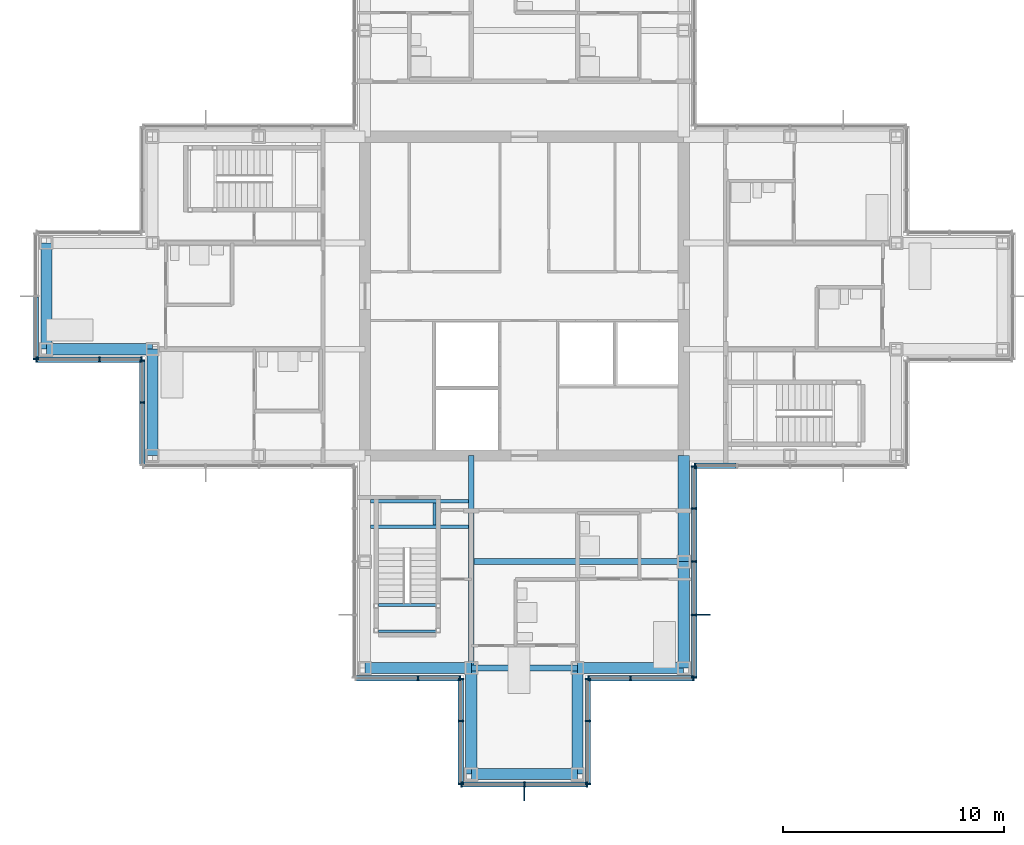
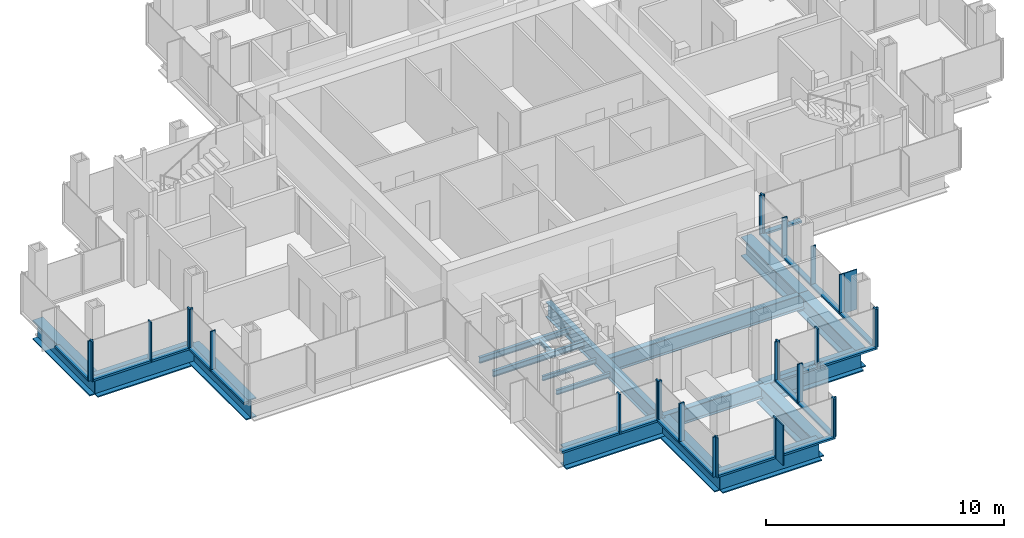
# One storey, part 6 of 17: 48 members, 18 beams, 10 elements without a shape of their own.
"""IFC4 building model written with IfcOpenShell, lengths in metres."""

from ifc_helpers import new_model, si_unit, direction, frame, origin, origin_2d, place, context, subcontext, project, spatial, rectangle, i_section, extrude, material, material_profile, profile_set, type_object, element, aggregate, save


model = new_model("IFC4")

# Units and contexts
model_context = context("Model", 3, precision=1e-05, world=origin(), true_north=direction((0.0, 1.0)))
body_context = subcontext(model_context, "Body", "Model", "MODEL_VIEW")
ifc_project = project(units=[si_unit("LENGTHUNIT", "METRE"), si_unit("AREAUNIT", "SQUARE_METRE"), si_unit("VOLUMEUNIT", "CUBIC_METRE"), si_unit("PLANEANGLEUNIT", "RADIAN"), si_unit("MASSUNIT", "GRAM", prefix="KILO")], contexts=[model_context])

# Site, building, storey
site_placement = place(None, origin())
site = spatial("IfcSite", under=ifc_project, at=site_placement, CompositionType="ELEMENT")
building_placement = place(site_placement, origin())
building = spatial("IfcBuilding", under=site, at=building_placement, Name="Kvirike Care Tower", CompositionType="ELEMENT")
storey_placement = place(building_placement, frame((0.0, 0.0, 186.5)))
storey = spatial("IfcBuildingStorey", under=building, at=storey_placement, Name="L51", CompositionType="ELEMENT", Elevation=186.5)

# Curtain wall, member
ifc_material_1 = material(Name="Anodised aluminium stick system", Category="aluminium")
curtain_wall_type = type_object("IfcCurtainWallType", Name="CW-C STICK CURTAIN WALL", PredefinedType="NOTDEFINED", material=ifc_material_1)
curtain_wall_1_placement = place(storey_placement, origin())
curtain_wall_1 = element("IfcCurtainWall", 1, at=curtain_wall_1_placement, inside=storey, type_object=curtain_wall_type, Name="Curtain wall L51 face 25", PredefinedType="NOTDEFINED")
ifc_material_2 = material(Name="Bronze anodised aluminium fin", Category="aluminium")
ifc_material_profile_1 = material_profile(ifc_material_2, rectangle(XDim=0.050048828125, YDim=0.60009765625, at=origin_2d()), Name="BRONZE FIN 600")
ifc_profile_set_1 = profile_set([ifc_material_profile_1], Name="Bronze anodised aluminium fin")
member_type_1 = type_object("IfcMemberType", Name="BRONZE FIN 600", PredefinedType="USERDEFINED", material=ifc_profile_set_1)
member_1_placement = place(storey_placement, frame((21.60009765625, 13.510009765625, 0.0), z_axis=(0.0, 0.0, 1.0), x_axis=(1.0, 0.0, 0.0)))
member_1 = element("IfcMember", 2, at=member_1_placement, type_object=member_type_1, Name="Bronze fin L51 face 25.2", ObjectType="FIN", PredefinedType="USERDEFINED", context=body_context, shape_type="SweptSolid", body=[
    extrude(rectangle(XDim=0.050048828125, YDim=0.60009765625, at=origin_2d()), origin(), (0.0, 0.0, 1.0), 2.050048828125),
])

curtain_wall_2_placement = place(storey_placement, origin())
curtain_wall_2 = element("IfcCurtainWall", 3, at=curtain_wall_2_placement, inside=storey, type_object=curtain_wall_type, Name="Curtain wall L51 face 28", PredefinedType="NOTDEFINED")
member_2_placement = place(storey_placement, frame((29.68994140625, 21.60009765625, 0.0), z_axis=(0.0, 0.0, 1.0), x_axis=(0.0, 1.0, 0.0)))
member_2 = element("IfcMember", 4, at=member_2_placement, type_object=member_type_1, Name="Bronze fin L51 face 28.2", ObjectType="FIN", PredefinedType="USERDEFINED", context=body_context, shape_type="SweptSolid", body=[
    extrude(rectangle(XDim=0.050048828125, YDim=0.60009765625, at=origin_2d()), origin(), (0.0, 0.0, 1.0), 2.050048828125),
])

curtain_wall_3_placement = place(storey_placement, origin())
curtain_wall_3 = element("IfcCurtainWall", 5, at=curtain_wall_3_placement, inside=storey, type_object=curtain_wall_type, Name="Curtain wall L51 face 1", PredefinedType="NOTDEFINED")
ifc_material_3 = material(Name="Bronze anodised aluminium mullion", Category="aluminium")
ifc_material_profile_2 = material_profile(ifc_material_3, rectangle(XDim=0.06494140625, YDim=0.239990234375, at=origin_2d()), Name="CW-C MULLION 65x240")
ifc_profile_set_2 = profile_set([ifc_material_profile_2], Name="Bronze anodised aluminium mullion")
member_type_2 = type_object("IfcMemberType", Name="CW-C MULLION 65x240", PredefinedType="MULLION", material=ifc_profile_set_2)
member_3_placement = place(storey_placement, frame((29.302490234375, 28.330078125, 0.0), z_axis=(0.0, 0.0, 1.0), x_axis=(1.0, 0.0, 0.0)))
member_3 = element("IfcMember", 6, at=member_3_placement, type_object=member_type_2, Name="CW-C mullion L51 face 1.1", PredefinedType="MULLION", context=body_context, shape_type="SweptSolid", body=[
    extrude(rectangle(XDim=0.06494140625, YDim=0.239990234375, at=origin_2d()), origin(), (0.0, 0.0, 1.0), 2.050048828125),
])

curtain_wall_4_placement = place(storey_placement, origin())
curtain_wall_4 = element("IfcCurtainWall", 7, at=curtain_wall_4_placement, inside=storey, type_object=curtain_wall_type, Name="Curtain wall L51 face 18", PredefinedType="NOTDEFINED")
member_4_placement = place(storey_placement, frame((-0.469970703125, 33.16259765625, 0.0), z_axis=(0.0, 0.0, 1.0), x_axis=(0.0, -1.0, 0.0)))
member_4 = element("IfcMember", 8, at=member_4_placement, type_object=member_type_2, Name="CW-C mullion L51 face 18.3", PredefinedType="MULLION", context=body_context, shape_type="SweptSolid", body=[
    extrude(rectangle(XDim=0.06494140625, YDim=0.239990234375, at=origin_2d()), origin(), (0.0, 0.0, 1.0), 2.050048828125),
])

# Curtain wall, members
curtain_wall_5_placement = place(storey_placement, origin())
curtain_wall_5 = element("IfcCurtainWall", 9, at=curtain_wall_5_placement, inside=storey, type_object=curtain_wall_type, Name="Curtain wall L51 face 19", PredefinedType="NOTDEFINED")
member_5_placement = place(storey_placement, frame((-0.4375, 33.1298828125, 0.0), z_axis=(0.0, 0.0, 1.0), x_axis=(1.0, 0.0, 0.0)))
member_5 = element("IfcMember", 10, at=member_5_placement, type_object=member_type_2, Name="CW-C mullion L51 face 19.1", PredefinedType="MULLION", context=body_context, shape_type="SweptSolid", body=[
    extrude(rectangle(XDim=0.06494140625, YDim=0.239990234375, at=origin_2d()), origin(), (0.0, 0.0, 1.0), 2.050048828125),
])
member_6_placement = place(storey_placement, frame((2.39990234375, 33.1298828125, 0.0), z_axis=(0.0, 0.0, 1.0), x_axis=(1.0, 0.0, 0.0)))
member_6 = element("IfcMember", 11, at=member_6_placement, type_object=member_type_2, Name="CW-C mullion L51 face 19.2", PredefinedType="MULLION", context=body_context, shape_type="SweptSolid", body=[
    extrude(rectangle(XDim=0.06494140625, YDim=0.239990234375, at=origin_2d()), origin(), (0.0, 0.0, 1.0), 2.050048828125),
])
member_7_placement = place(storey_placement, frame((4.297607421875, 33.1298828125, 0.0), z_axis=(0.0, 0.0, 1.0), x_axis=(1.0, 0.0, 0.0)))
member_7 = element("IfcMember", 12, at=member_7_placement, type_object=member_type_2, Name="CW-C mullion L51 face 19.3", PredefinedType="MULLION", context=body_context, shape_type="SweptSolid", body=[
    extrude(rectangle(XDim=0.06494140625, YDim=0.239990234375, at=origin_2d()), origin(), (0.0, 0.0, 1.0), 2.050048828125),
])

curtain_wall_6_placement = place(storey_placement, origin())
curtain_wall_6 = element("IfcCurtainWall", 13, at=curtain_wall_6_placement, inside=storey, type_object=curtain_wall_type, Name="Curtain wall L51 face 20", PredefinedType="NOTDEFINED")
member_8_placement = place(storey_placement, frame((4.330078125, 33.097412109375, 0.0), z_axis=(0.0, 0.0, 1.0), x_axis=(0.0, -1.0, 0.0)))
member_8 = element("IfcMember", 14, at=member_8_placement, type_object=member_type_2, Name="CW-C mullion L51 face 20.1", PredefinedType="MULLION", context=body_context, shape_type="SweptSolid", body=[
    extrude(rectangle(XDim=0.06494140625, YDim=0.239990234375, at=origin_2d()), origin(), (0.0, 0.0, 1.0), 2.050048828125),
])
member_9_placement = place(storey_placement, frame((4.330078125, 31.199951171875, 0.0), z_axis=(0.0, 0.0, 1.0), x_axis=(0.0, -1.0, 0.0)))
member_9 = element("IfcMember", 15, at=member_9_placement, type_object=member_type_2, Name="CW-C mullion L51 face 20.2", PredefinedType="MULLION", context=body_context, shape_type="SweptSolid", body=[
    extrude(rectangle(XDim=0.06494140625, YDim=0.239990234375, at=origin_2d()), origin(), (0.0, 0.0, 1.0), 2.050048828125),
])

curtain_wall_7_placement = place(storey_placement, origin())
curtain_wall_7 = element("IfcCurtainWall", 16, at=curtain_wall_7_placement, inside=storey, type_object=curtain_wall_type, Name="Curtain wall L51 face 23", PredefinedType="NOTDEFINED")
member_10_placement = place(storey_placement, frame((16.800048828125, 18.72998046875, 0.0), z_axis=(0.0, 0.0, 1.0), x_axis=(1.0, 0.0, 0.0)))
member_10 = element("IfcMember", 17, at=member_10_placement, type_object=member_type_2, Name="CW-C mullion L51 face 23.2", PredefinedType="MULLION", context=body_context, shape_type="SweptSolid", body=[
    extrude(rectangle(XDim=0.06494140625, YDim=0.239990234375, at=origin_2d()), origin(), (0.0, 0.0, 1.0), 2.050048828125),
])
member_11_placement = place(storey_placement, frame((18.697509765625, 18.72998046875, 0.0), z_axis=(0.0, 0.0, 1.0), x_axis=(1.0, 0.0, 0.0)))
member_11 = element("IfcMember", 18, at=member_11_placement, type_object=member_type_2, Name="CW-C mullion L51 face 23.3", PredefinedType="MULLION", context=body_context, shape_type="SweptSolid", body=[
    extrude(rectangle(XDim=0.06494140625, YDim=0.239990234375, at=origin_2d()), origin(), (0.0, 0.0, 1.0), 2.050048828125),
])

curtain_wall_8_placement = place(storey_placement, origin())
curtain_wall_8 = element("IfcCurtainWall", 19, at=curtain_wall_8_placement, inside=storey, type_object=curtain_wall_type, Name="Curtain wall L51 face 24", PredefinedType="NOTDEFINED")
member_12_placement = place(storey_placement, frame((18.72998046875, 18.697509765625, 0.0), z_axis=(0.0, 0.0, 1.0), x_axis=(0.0, -1.0, 0.0)))
member_12 = element("IfcMember", 20, at=member_12_placement, type_object=member_type_2, Name="CW-C mullion L51 face 24.1", PredefinedType="MULLION", context=body_context, shape_type="SweptSolid", body=[
    extrude(rectangle(XDim=0.06494140625, YDim=0.239990234375, at=origin_2d()), origin(), (0.0, 0.0, 1.0), 2.050048828125),
])
member_13_placement = place(storey_placement, frame((18.72998046875, 16.800048828125, 0.0), z_axis=(0.0, 0.0, 1.0), x_axis=(0.0, -1.0, 0.0)))
member_13 = element("IfcMember", 21, at=member_13_placement, type_object=member_type_2, Name="CW-C mullion L51 face 24.2", PredefinedType="MULLION", context=body_context, shape_type="SweptSolid", body=[
    extrude(rectangle(XDim=0.06494140625, YDim=0.239990234375, at=origin_2d()), origin(), (0.0, 0.0, 1.0), 2.050048828125),
])
member_14_placement = place(storey_placement, frame((18.72998046875, 13.96240234375, 0.0), z_axis=(0.0, 0.0, 1.0), x_axis=(0.0, -1.0, 0.0)))
member_14 = element("IfcMember", 22, at=member_14_placement, type_object=member_type_2, Name="CW-C mullion L51 face 24.3", PredefinedType="MULLION", context=body_context, shape_type="SweptSolid", body=[
    extrude(rectangle(XDim=0.06494140625, YDim=0.239990234375, at=origin_2d()), origin(), (0.0, 0.0, 1.0), 2.050048828125),
])

# Member
member_15_placement = place(storey_placement, frame((18.762451171875, 13.929931640625, 0.0), z_axis=(0.0, 0.0, 1.0), x_axis=(1.0, 0.0, 0.0)))
member_15 = element("IfcMember", 23, at=member_15_placement, type_object=member_type_2, Name="CW-C mullion L51 face 25.1", PredefinedType="MULLION", context=body_context, shape_type="SweptSolid", body=[
    extrude(rectangle(XDim=0.06494140625, YDim=0.239990234375, at=origin_2d()), origin(), (0.0, 0.0, 1.0), 2.050048828125),
])

member_16_placement = place(storey_placement, frame((21.60009765625, 13.929931640625, 0.0), z_axis=(0.0, 0.0, 1.0), x_axis=(1.0, 0.0, 0.0)))
member_16 = element("IfcMember", 24, at=member_16_placement, type_object=member_type_2, Name="CW-C mullion L51 face 25.2", PredefinedType="MULLION", context=body_context, shape_type="SweptSolid", body=[
    extrude(rectangle(XDim=0.06494140625, YDim=0.239990234375, at=origin_2d()), origin(), (0.0, 0.0, 1.0), 2.050048828125),
])

member_17_placement = place(storey_placement, frame((24.4375, 13.929931640625, 0.0), z_axis=(0.0, 0.0, 1.0), x_axis=(1.0, 0.0, 0.0)))
member_17 = element("IfcMember", 25, at=member_17_placement, type_object=member_type_2, Name="CW-C mullion L51 face 25.3", PredefinedType="MULLION", context=body_context, shape_type="SweptSolid", body=[
    extrude(rectangle(XDim=0.06494140625, YDim=0.239990234375, at=origin_2d()), origin(), (0.0, 0.0, 1.0), 2.050048828125),
])

# Curtain wall, members
curtain_wall_9_placement = place(storey_placement, origin())
curtain_wall_9 = element("IfcCurtainWall", 26, at=curtain_wall_9_placement, inside=storey, type_object=curtain_wall_type, Name="Curtain wall L51 face 26", PredefinedType="NOTDEFINED")
member_18_placement = place(storey_placement, frame((24.469970703125, 13.96240234375, 0.0), z_axis=(0.0, 0.0, 1.0), x_axis=(0.0, 1.0, 0.0)))
member_18 = element("IfcMember", 27, at=member_18_placement, type_object=member_type_2, Name="CW-C mullion L51 face 26.1", PredefinedType="MULLION", context=body_context, shape_type="SweptSolid", body=[
    extrude(rectangle(XDim=0.06494140625, YDim=0.239990234375, at=origin_2d()), origin(), (0.0, 0.0, 1.0), 2.050048828125),
])
member_19_placement = place(storey_placement, frame((24.469970703125, 16.800048828125, 0.0), z_axis=(0.0, 0.0, 1.0), x_axis=(0.0, 1.0, 0.0)))
member_19 = element("IfcMember", 28, at=member_19_placement, type_object=member_type_2, Name="CW-C mullion L51 face 26.2", PredefinedType="MULLION", context=body_context, shape_type="SweptSolid", body=[
    extrude(rectangle(XDim=0.06494140625, YDim=0.239990234375, at=origin_2d()), origin(), (0.0, 0.0, 1.0), 2.050048828125),
])
member_20_placement = place(storey_placement, frame((24.469970703125, 18.697509765625, 0.0), z_axis=(0.0, 0.0, 1.0), x_axis=(0.0, 1.0, 0.0)))
member_20 = element("IfcMember", 29, at=member_20_placement, type_object=member_type_2, Name="CW-C mullion L51 face 26.3", PredefinedType="MULLION", context=body_context, shape_type="SweptSolid", body=[
    extrude(rectangle(XDim=0.06494140625, YDim=0.239990234375, at=origin_2d()), origin(), (0.0, 0.0, 1.0), 2.050048828125),
])

curtain_wall_10_placement = place(storey_placement, origin())
curtain_wall_10 = element("IfcCurtainWall", 30, at=curtain_wall_10_placement, inside=storey, type_object=curtain_wall_type, Name="Curtain wall L51 face 27", PredefinedType="NOTDEFINED")
member_21_placement = place(storey_placement, frame((24.50244140625, 18.72998046875, 0.0), z_axis=(0.0, 0.0, 1.0), x_axis=(1.0, 0.0, 0.0)))
member_21 = element("IfcMember", 31, at=member_21_placement, type_object=member_type_2, Name="CW-C mullion L51 face 27.1", PredefinedType="MULLION", context=body_context, shape_type="SweptSolid", body=[
    extrude(rectangle(XDim=0.06494140625, YDim=0.239990234375, at=origin_2d()), origin(), (0.0, 0.0, 1.0), 2.050048828125),
])
member_22_placement = place(storey_placement, frame((26.39990234375, 18.72998046875, 0.0), z_axis=(0.0, 0.0, 1.0), x_axis=(1.0, 0.0, 0.0)))
member_22 = element("IfcMember", 32, at=member_22_placement, type_object=member_type_2, Name="CW-C mullion L51 face 27.2", PredefinedType="MULLION", context=body_context, shape_type="SweptSolid", body=[
    extrude(rectangle(XDim=0.06494140625, YDim=0.239990234375, at=origin_2d()), origin(), (0.0, 0.0, 1.0), 2.050048828125),
])
member_23_placement = place(storey_placement, frame((29.237548828125, 18.72998046875, 0.0), z_axis=(0.0, 0.0, 1.0), x_axis=(1.0, 0.0, 0.0)))
member_23 = element("IfcMember", 33, at=member_23_placement, type_object=member_type_2, Name="CW-C mullion L51 face 27.3", PredefinedType="MULLION", context=body_context, shape_type="SweptSolid", body=[
    extrude(rectangle(XDim=0.06494140625, YDim=0.239990234375, at=origin_2d()), origin(), (0.0, 0.0, 1.0), 2.050048828125),
])

# Member
member_24_placement = place(storey_placement, frame((29.27001953125, 18.762451171875, 0.0), z_axis=(0.0, 0.0, 1.0), x_axis=(0.0, 1.0, 0.0)))
member_24 = element("IfcMember", 34, at=member_24_placement, type_object=member_type_2, Name="CW-C mullion L51 face 28.1", PredefinedType="MULLION", context=body_context, shape_type="SweptSolid", body=[
    extrude(rectangle(XDim=0.06494140625, YDim=0.239990234375, at=origin_2d()), origin(), (0.0, 0.0, 1.0), 2.050048828125),
])

member_25_placement = place(storey_placement, frame((29.27001953125, 21.60009765625, 0.0), z_axis=(0.0, 0.0, 1.0), x_axis=(0.0, 1.0, 0.0)))
member_25 = element("IfcMember", 35, at=member_25_placement, type_object=member_type_2, Name="CW-C mullion L51 face 28.2", PredefinedType="MULLION", context=body_context, shape_type="SweptSolid", body=[
    extrude(rectangle(XDim=0.06494140625, YDim=0.239990234375, at=origin_2d()), origin(), (0.0, 0.0, 1.0), 2.050048828125),
])

member_26_placement = place(storey_placement, frame((29.27001953125, 24.0, 0.0), z_axis=(0.0, 0.0, 1.0), x_axis=(0.0, 1.0, 0.0)))
member_26 = element("IfcMember", 36, at=member_26_placement, type_object=member_type_2, Name="CW-C mullion L51 face 28.3", PredefinedType="MULLION", context=body_context, shape_type="SweptSolid", body=[
    extrude(rectangle(XDim=0.06494140625, YDim=0.239990234375, at=origin_2d()), origin(), (0.0, 0.0, 1.0), 2.050048828125),
])

member_27_placement = place(storey_placement, frame((29.27001953125, 26.39990234375, 0.0), z_axis=(0.0, 0.0, 1.0), x_axis=(0.0, 1.0, 0.0)))
member_27 = element("IfcMember", 37, at=member_27_placement, type_object=member_type_2, Name="CW-C mullion L51 face 28.4", PredefinedType="MULLION", context=body_context, shape_type="SweptSolid", body=[
    extrude(rectangle(XDim=0.06494140625, YDim=0.239990234375, at=origin_2d()), origin(), (0.0, 0.0, 1.0), 2.050048828125),
])

member_28_placement = place(storey_placement, frame((29.27001953125, 28.297607421875, 0.0), z_axis=(0.0, 0.0, 1.0), x_axis=(0.0, 1.0, 0.0)))
member_28 = element("IfcMember", 38, at=member_28_placement, type_object=member_type_2, Name="CW-C mullion L51 face 28.5", PredefinedType="MULLION", context=body_context, shape_type="SweptSolid", body=[
    extrude(rectangle(XDim=0.06494140625, YDim=0.239990234375, at=origin_2d()), origin(), (0.0, 0.0, 1.0), 2.050048828125),
])

ifc_material_4 = material(Name="Bronze anodised aluminium transom", Category="aluminium")
ifc_material_profile_3 = material_profile(ifc_material_4, rectangle(XDim=0.239990234375, YDim=0.10009765625, at=origin_2d()), Name="CW-C TRANSOM 240x100")
ifc_profile_set_3 = profile_set([ifc_material_profile_3], Name="Bronze anodised aluminium transom")
member_type_3 = type_object("IfcMemberType", Name="CW-C TRANSOM 240x100", PredefinedType="USERDEFINED", material=ifc_profile_set_3)
member_29_placement = place(storey_placement, frame((29.3349609375, 28.330078125, 0.050048828125), z_axis=(1.0, 0.0, 0.0), x_axis=(0.0, 1.0, 0.0)))
member_29 = element("IfcMember", 39, at=member_29_placement, type_object=member_type_3, Name="CW-C sill transom L51 face 1.1", ObjectType="TRANSOM", PredefinedType="USERDEFINED", context=body_context, shape_type="SweptSolid", body=[
    extrude(rectangle(XDim=0.239990234375, YDim=0.10009765625, at=origin_2d()), origin(), (0.0, 0.0, 1.0), 1.83251953125),
])

aggregate(curtain_wall_3, [member_3, member_29])

member_30_placement = place(storey_placement, frame((-0.469970703125, 35.967529296875, 0.050048828125), z_axis=(0.0, -1.0, 0.0), x_axis=(1.0, 0.0, 0.0)))
member_30 = element("IfcMember", 40, at=member_30_placement, type_object=member_type_3, Name="CW-C sill transom L51 face 18.2", ObjectType="TRANSOM", PredefinedType="USERDEFINED", context=body_context, shape_type="SweptSolid", body=[
    extrude(rectangle(XDim=0.239990234375, YDim=0.10009765625, at=origin_2d()), origin(), (0.0, 0.0, 1.0), 2.7724609375),
])

aggregate(curtain_wall_4, [member_4, member_30])

member_31_placement = place(storey_placement, frame((-0.405029296875, 33.1298828125, 0.050048828125), z_axis=(1.0, 0.0, 0.0), x_axis=(0.0, 1.0, 0.0)))
member_31 = element("IfcMember", 41, at=member_31_placement, type_object=member_type_3, Name="CW-C sill transom L51 face 19.1", ObjectType="TRANSOM", PredefinedType="USERDEFINED", context=body_context, shape_type="SweptSolid", body=[
    extrude(rectangle(XDim=0.239990234375, YDim=0.10009765625, at=origin_2d()), origin(), (0.0, 0.0, 1.0), 2.7724609375),
])

member_32_placement = place(storey_placement, frame((2.4326171875, 33.1298828125, 0.050048828125), z_axis=(1.0, 0.0, 0.0), x_axis=(0.0, 1.0, 0.0)))
member_32 = element("IfcMember", 42, at=member_32_placement, type_object=member_type_3, Name="CW-C sill transom L51 face 19.2", ObjectType="TRANSOM", PredefinedType="USERDEFINED", context=body_context, shape_type="SweptSolid", body=[
    extrude(rectangle(XDim=0.239990234375, YDim=0.10009765625, at=origin_2d()), origin(), (0.0, 0.0, 1.0), 1.832275390625),
])

aggregate(curtain_wall_5, [member_5, member_6, member_7, member_31, member_32])

member_33_placement = place(storey_placement, frame((4.330078125, 33.06494140625, 0.050048828125), z_axis=(0.0, -1.0, 0.0), x_axis=(1.0, 0.0, 0.0)))
member_33 = element("IfcMember", 43, at=member_33_placement, type_object=member_type_3, Name="CW-C sill transom L51 face 20.1", ObjectType="TRANSOM", PredefinedType="USERDEFINED", context=body_context, shape_type="SweptSolid", body=[
    extrude(rectangle(XDim=0.239990234375, YDim=0.10009765625, at=origin_2d()), origin(), (0.0, 0.0, 1.0), 1.83251953125),
])

member_34_placement = place(storey_placement, frame((4.330078125, 31.16748046875, 0.050048828125), z_axis=(0.0, -1.0, 0.0), x_axis=(1.0, 0.0, 0.0)))
member_34 = element("IfcMember", 44, at=member_34_placement, type_object=member_type_3, Name="CW-C sill transom L51 face 20.2", ObjectType="TRANSOM", PredefinedType="USERDEFINED", context=body_context, shape_type="SweptSolid", body=[
    extrude(rectangle(XDim=0.239990234375, YDim=0.10009765625, at=origin_2d()), origin(), (0.0, 0.0, 1.0), 2.7724609375),
])

aggregate(curtain_wall_6, [member_8, member_9, member_33, member_34])

member_35_placement = place(storey_placement, frame((13.9951171875, 18.72998046875, 0.050048828125), z_axis=(1.0, 0.0, 0.0), x_axis=(0.0, 1.0, 0.0)))
member_35 = element("IfcMember", 45, at=member_35_placement, type_object=member_type_3, Name="CW-C sill transom L51 face 23.1", ObjectType="TRANSOM", PredefinedType="USERDEFINED", context=body_context, shape_type="SweptSolid", body=[
    extrude(rectangle(XDim=0.239990234375, YDim=0.10009765625, at=origin_2d()), origin(), (0.0, 0.0, 1.0), 2.7724609375),
])

member_36_placement = place(storey_placement, frame((16.83251953125, 18.72998046875, 0.050048828125), z_axis=(1.0, 0.0, 0.0), x_axis=(0.0, 1.0, 0.0)))
member_36 = element("IfcMember", 46, at=member_36_placement, type_object=member_type_3, Name="CW-C sill transom L51 face 23.2", ObjectType="TRANSOM", PredefinedType="USERDEFINED", context=body_context, shape_type="SweptSolid", body=[
    extrude(rectangle(XDim=0.239990234375, YDim=0.10009765625, at=origin_2d()), origin(), (0.0, 0.0, 1.0), 1.83251953125),
])

aggregate(curtain_wall_7, [member_10, member_11, member_35, member_36])

member_37_placement = place(storey_placement, frame((18.72998046875, 18.6650390625, 0.050048828125), z_axis=(0.0, -1.0, 0.0), x_axis=(1.0, 0.0, 0.0)))
member_37 = element("IfcMember", 47, at=member_37_placement, type_object=member_type_3, Name="CW-C sill transom L51 face 24.1", ObjectType="TRANSOM", PredefinedType="USERDEFINED", context=body_context, shape_type="SweptSolid", body=[
    extrude(rectangle(XDim=0.239990234375, YDim=0.10009765625, at=origin_2d()), origin(), (0.0, 0.0, 1.0), 1.83251953125),
])

member_38_placement = place(storey_placement, frame((18.72998046875, 16.767578125, 0.050048828125), z_axis=(0.0, -1.0, 0.0), x_axis=(1.0, 0.0, 0.0)))
member_38 = element("IfcMember", 48, at=member_38_placement, type_object=member_type_3, Name="CW-C sill transom L51 face 24.2", ObjectType="TRANSOM", PredefinedType="USERDEFINED", context=body_context, shape_type="SweptSolid", body=[
    extrude(rectangle(XDim=0.239990234375, YDim=0.10009765625, at=origin_2d()), origin(), (0.0, 0.0, 1.0), 2.7724609375),
])

aggregate(curtain_wall_8, [member_12, member_13, member_14, member_37, member_38])

member_39_placement = place(storey_placement, frame((18.794921875, 13.929931640625, 0.050048828125), z_axis=(1.0, 0.0, 0.0), x_axis=(0.0, 1.0, 0.0)))
member_39 = element("IfcMember", 49, at=member_39_placement, type_object=member_type_3, Name="CW-C sill transom L51 face 25.1", ObjectType="TRANSOM", PredefinedType="USERDEFINED", context=body_context, shape_type="SweptSolid", body=[
    extrude(rectangle(XDim=0.239990234375, YDim=0.10009765625, at=origin_2d()), origin(), (0.0, 0.0, 1.0), 2.7724609375),
])

member_40_placement = place(storey_placement, frame((21.632568359375, 13.929931640625, 0.050048828125), z_axis=(1.0, 0.0, 0.0), x_axis=(0.0, 1.0, 0.0)))
member_40 = element("IfcMember", 50, at=member_40_placement, type_object=member_type_3, Name="CW-C sill transom L51 face 25.2", ObjectType="TRANSOM", PredefinedType="USERDEFINED", context=body_context, shape_type="SweptSolid", body=[
    extrude(rectangle(XDim=0.239990234375, YDim=0.10009765625, at=origin_2d()), origin(), (0.0, 0.0, 1.0), 2.7724609375),
])

aggregate(curtain_wall_1, [member_15, member_16, member_1, member_17, member_39, member_40])

member_41_placement = place(storey_placement, frame((24.469970703125, 13.9951171875, 0.050048828125), z_axis=(0.0, 1.0, 0.0), x_axis=(-1.0, 0.0, 0.0)))
member_41 = element("IfcMember", 51, at=member_41_placement, type_object=member_type_3, Name="CW-C sill transom L51 face 26.1", ObjectType="TRANSOM", PredefinedType="USERDEFINED", context=body_context, shape_type="SweptSolid", body=[
    extrude(rectangle(XDim=0.239990234375, YDim=0.10009765625, at=origin_2d()), origin(), (0.0, 0.0, 1.0), 2.7724609375),
])

member_42_placement = place(storey_placement, frame((24.469970703125, 16.83251953125, 0.050048828125), z_axis=(0.0, 1.0, 0.0), x_axis=(-1.0, 0.0, 0.0)))
member_42 = element("IfcMember", 52, at=member_42_placement, type_object=member_type_3, Name="CW-C sill transom L51 face 26.2", ObjectType="TRANSOM", PredefinedType="USERDEFINED", context=body_context, shape_type="SweptSolid", body=[
    extrude(rectangle(XDim=0.239990234375, YDim=0.10009765625, at=origin_2d()), origin(), (0.0, 0.0, 1.0), 1.83251953125),
])

aggregate(curtain_wall_9, [member_18, member_19, member_20, member_41, member_42])

member_43_placement = place(storey_placement, frame((24.534912109375, 18.72998046875, 0.050048828125), z_axis=(1.0, 0.0, 0.0), x_axis=(0.0, 1.0, 0.0)))
member_43 = element("IfcMember", 53, at=member_43_placement, type_object=member_type_3, Name="CW-C sill transom L51 face 27.1", ObjectType="TRANSOM", PredefinedType="USERDEFINED", context=body_context, shape_type="SweptSolid", body=[
    extrude(rectangle(XDim=0.239990234375, YDim=0.10009765625, at=origin_2d()), origin(), (0.0, 0.0, 1.0), 1.83251953125),
])

member_44_placement = place(storey_placement, frame((26.4326171875, 18.72998046875, 0.050048828125), z_axis=(1.0, 0.0, 0.0), x_axis=(0.0, 1.0, 0.0)))
member_44 = element("IfcMember", 54, at=member_44_placement, type_object=member_type_3, Name="CW-C sill transom L51 face 27.2", ObjectType="TRANSOM", PredefinedType="USERDEFINED", context=body_context, shape_type="SweptSolid", body=[
    extrude(rectangle(XDim=0.239990234375, YDim=0.10009765625, at=origin_2d()), origin(), (0.0, 0.0, 1.0), 2.7724609375),
])

aggregate(curtain_wall_10, [member_21, member_22, member_23, member_43, member_44])

member_45_placement = place(storey_placement, frame((29.27001953125, 18.794921875, 0.050048828125), z_axis=(0.0, 1.0, 0.0), x_axis=(-1.0, 0.0, 0.0)))
member_45 = element("IfcMember", 55, at=member_45_placement, type_object=member_type_3, Name="CW-C sill transom L51 face 28.1", ObjectType="TRANSOM", PredefinedType="USERDEFINED", context=body_context, shape_type="SweptSolid", body=[
    extrude(rectangle(XDim=0.239990234375, YDim=0.10009765625, at=origin_2d()), origin(), (0.0, 0.0, 1.0), 2.7724609375),
])

member_46_placement = place(storey_placement, frame((29.27001953125, 21.632568359375, 0.050048828125), z_axis=(0.0, 1.0, 0.0), x_axis=(-1.0, 0.0, 0.0)))
member_46 = element("IfcMember", 56, at=member_46_placement, type_object=member_type_3, Name="CW-C sill transom L51 face 28.2", ObjectType="TRANSOM", PredefinedType="USERDEFINED", context=body_context, shape_type="SweptSolid", body=[
    extrude(rectangle(XDim=0.239990234375, YDim=0.10009765625, at=origin_2d()), origin(), (0.0, 0.0, 1.0), 2.3349609375),
])

member_47_placement = place(storey_placement, frame((29.27001953125, 24.032470703125, 0.050048828125), z_axis=(0.0, 1.0, 0.0), x_axis=(-1.0, 0.0, 0.0)))
member_47 = element("IfcMember", 57, at=member_47_placement, type_object=member_type_3, Name="CW-C sill transom L51 face 28.3", ObjectType="TRANSOM", PredefinedType="USERDEFINED", context=body_context, shape_type="SweptSolid", body=[
    extrude(rectangle(XDim=0.239990234375, YDim=0.10009765625, at=origin_2d()), origin(), (0.0, 0.0, 1.0), 2.3349609375),
])

member_48_placement = place(storey_placement, frame((29.27001953125, 26.4326171875, 0.050048828125), z_axis=(0.0, 1.0, 0.0), x_axis=(-1.0, 0.0, 0.0)))
member_48 = element("IfcMember", 58, at=member_48_placement, type_object=member_type_3, Name="CW-C sill transom L51 face 28.4", ObjectType="TRANSOM", PredefinedType="USERDEFINED", context=body_context, shape_type="SweptSolid", body=[
    extrude(rectangle(XDim=0.239990234375, YDim=0.10009765625, at=origin_2d()), origin(), (0.0, 0.0, 1.0), 1.832275390625),
])

aggregate(curtain_wall_2, [member_24, member_25, member_2, member_26, member_27, member_28, member_45, member_46, member_47, member_48])

# Beams
ifc_material_5 = material(Name="Steel S355", Category="steel")
ifc_material_profile_4 = material_profile(ifc_material_5, i_section(OverallWidth=0.26806640625, OverallDepth=0.77001953125, WebThickness=0.015625, FlangeThickness=0.025390625, FilletRadius=0.01708984375, at=origin_2d()), Name="IPE 750x196")
ifc_profile_set_4 = profile_set([ifc_material_profile_4], Name="Steel S355")
beam_type_1 = type_object("IfcBeamType", Name="FLOOR BEAM IPE 750x196", PredefinedType="BEAM", material=ifc_profile_set_4)
beam_1_placement = place(storey_placement, frame((19.199951171875, 19.199951171875, -0.554931640625), z_axis=(1.0, 0.0, 0.0), x_axis=(0.0, 1.0, 0.0)))
element("IfcBeam", 59, at=beam_1_placement, inside=storey, type_object=beam_type_1, Name="Floor Beam E7-E8 L51", PredefinedType="BEAM", context=body_context, shape_type="SweptSolid", body=[
    extrude(i_section(OverallWidth=0.26806640625, OverallDepth=0.77001953125, WebThickness=0.015625, FlangeThickness=0.025390625, FilletRadius=0.01708984375, at=origin_2d()), origin(), (0.0, 0.0, 1.0), 4.800048828125),
])
for number, where, z_axis, x_axis, name in (
    (60, (19.199951171875, 24.0, -0.554931640625), (1.0, 0.0, 0.0), (0.0, 1.0, 0.0), "Floor Beam F7-F9 L51"),
    (61, (19.199951171875, 19.199951171875, -0.554931640625), (0.0, 1.0, 0.0), (-1.0, 0.0, 0.0), "Floor Beam E7-G7 L51"),
):
    element("IfcBeam", number, at=place(storey_placement, frame(where, z_axis=z_axis, x_axis=x_axis)), inside=storey, type_object=beam_type_1, Name=name, PredefinedType="BEAM", context=body_context, shape_type="SweptSolid", body=[
        extrude(i_section(OverallWidth=0.26806640625, OverallDepth=0.77001953125, WebThickness=0.015625, FlangeThickness=0.025390625, FilletRadius=0.01708984375, at=origin_2d()), origin(), (0.0, 0.0, 1.0), 9.60009765625),
    ])
ifc_material_6 = material(Name="Steel S355", Category="steel")
ifc_material_profile_5 = material_profile(ifc_material_6, i_section(OverallWidth=0.5, OverallDepth=1.0, WebThickness=0.030029296875, FlangeThickness=0.06005859375, at=origin_2d()), Name="PG 1000x500x30x60")
ifc_profile_set_5 = profile_set([ifc_material_profile_5], Name="Steel S355")
beam_type_2 = type_object("IfcBeamType", Name="SPANDREL PG 1000x500x30x60", PredefinedType="SPANDREL", material=ifc_profile_set_5)
for number, where, z_axis, x_axis, name in (
    (62, (19.199951171875, 14.39990234375, -0.669921875), (1.0, 0.0, 0.0), (0.0, 1.0, 0.0), "Spandrel D7-D8 L51"),
    (63, (14.39990234375, 19.199951171875, -0.669921875), (1.0, 0.0, 0.0), (0.0, 1.0, 0.0), "Spandrel E6-E7 L51"),
    (64, (24.0, 19.199951171875, -0.669921875), (1.0, 0.0, 0.0), (0.0, 1.0, 0.0), "Spandrel E8-E9 L51"),
    (65, (0.0, 33.60009765625, -0.669921875), (1.0, 0.0, 0.0), (0.0, 1.0, 0.0), "Spandrel H3-H4 L51"),
):
    element("IfcBeam", number, at=place(storey_placement, frame(where, z_axis=z_axis, x_axis=x_axis)), inside=storey, type_object=beam_type_2, Name=name, PredefinedType="SPANDREL", context=body_context, shape_type="SweptSolid", body=[
        extrude(i_section(OverallWidth=0.5, OverallDepth=1.0, WebThickness=0.030029296875, FlangeThickness=0.06005859375, at=origin_2d()), origin(), (0.0, 0.0, 1.0), 4.800048828125),
    ])
beam_2_placement = place(storey_placement, frame((0.0, 33.60009765625, -0.669921875), z_axis=(0.0, 1.0, 0.0), x_axis=(-1.0, 0.0, 0.0)))
element("IfcBeam", 66, at=beam_2_placement, inside=storey, type_object=beam_type_2, Name="Spandrel H3-J3 L51", PredefinedType="SPANDREL", context=body_context, shape_type="SweptSolid", body=[
    extrude(i_section(OverallWidth=0.5, OverallDepth=1.0, WebThickness=0.030029296875, FlangeThickness=0.06005859375, at=origin_2d()), origin(), (0.0, 0.0, 1.0), 4.7998046875),
])
for number, where, z_axis, x_axis, name in (
    (67, (4.800048828125, 28.800048828125, -0.669921875), (0.0, 1.0, 0.0), (-1.0, 0.0, 0.0), "Spandrel G4-H4 L51"),
    (68, (19.199951171875, 14.39990234375, -0.669921875), (0.0, 1.0, 0.0), (-1.0, 0.0, 0.0), "Spandrel D7-E7 L51"),
    (69, (24.0, 14.39990234375, -0.669921875), (0.0, 1.0, 0.0), (-1.0, 0.0, 0.0), "Spandrel D8-E8 L51"),
    (70, (28.800048828125, 19.199951171875, -0.669921875), (0.0, 1.0, 0.0), (-1.0, 0.0, 0.0), "Spandrel E9-F9 L51"),
    (71, (28.800048828125, 24.0, -0.669921875), (0.0, 1.0, 0.0), (-1.0, 0.0, 0.0), "Spandrel F9-G9 L51"),
):
    element("IfcBeam", number, at=place(storey_placement, frame(where, z_axis=z_axis, x_axis=x_axis)), inside=storey, type_object=beam_type_2, Name=name, PredefinedType="SPANDREL", context=body_context, shape_type="SweptSolid", body=[
        extrude(i_section(OverallWidth=0.5, OverallDepth=1.0, WebThickness=0.030029296875, FlangeThickness=0.06005859375, at=origin_2d()), origin(), (0.0, 0.0, 1.0), 4.800048828125),
    ])
ifc_material_7 = material(Name="Steel S355", Category="steel")
ifc_material_profile_6 = material_profile(ifc_material_7, i_section(OverallWidth=0.1201171875, OverallDepth=0.239990234375, WebThickness=0.006103515625, FlangeThickness=0.009765625, FilletRadius=0.014892578125, at=origin_2d()), Name="IPE 240")
ifc_profile_set_6 = profile_set([ifc_material_profile_6], Name="Steel S355")
beam_type_3 = type_object("IfcBeamType", Name="STAIR LANDING BEAM IPE 240", PredefinedType="BEAM", material=ifc_profile_set_6)
for number, where, z_axis, x_axis, name in (
    (72, (15.0, 20.860107421875, 1.429931640625), (1.0, 0.0, 0.0), (0.0, 1.0, 0.0), "Stair 5 landing beam back L51"),
    (73, (15.0, 22.0400390625, 1.429931640625), (1.0, 0.0, 0.0), (0.0, 1.0, 0.0), "Stair 5 landing beam front L51"),
):
    element("IfcBeam", number, at=place(storey_placement, frame(where, z_axis=z_axis, x_axis=x_axis)), inside=storey, type_object=beam_type_3, Name=name, PredefinedType="BEAM", context=body_context, shape_type="SweptSolid", body=[
        extrude(i_section(OverallWidth=0.1201171875, OverallDepth=0.239990234375, WebThickness=0.006103515625, FlangeThickness=0.009765625, FilletRadius=0.014892578125, at=origin_2d()), origin(), (0.0, 0.0, 1.0), 2.60009765625),
    ])
beam_3_placement = place(storey_placement, frame((17.5400390625, 25.64990234375, -0.320068359375), z_axis=(0.0, 1.0, 0.0), x_axis=(-1.0, 0.0, 0.0)))
element("IfcBeam", 74, at=beam_3_placement, inside=storey, type_object=beam_type_3, Name="Stair 5 landing edge beam 2 L51", PredefinedType="BEAM", context=body_context, shape_type="SweptSolid", body=[
    extrude(i_section(OverallWidth=0.1201171875, OverallDepth=0.239990234375, WebThickness=0.006103515625, FlangeThickness=0.009765625, FilletRadius=0.014892578125, at=origin_2d()), origin(), (0.0, 0.0, 1.0), 1.0),
])
ifc_material_8 = material(Name="Steel S355", Category="steel")
ifc_material_profile_7 = material_profile(ifc_material_8, i_section(OverallWidth=0.14990234375, OverallDepth=0.300048828125, WebThickness=0.007080078125, FlangeThickness=0.0107421875, FilletRadius=0.014892578125, at=origin_2d()), Name="IPE 300")
ifc_profile_set_7 = profile_set([ifc_material_profile_7], Name="Steel S355")
beam_type_4 = type_object("IfcBeamType", Name="STAIR TRIMMER IPE 300", PredefinedType="BEAM", material=ifc_profile_set_7)
for number, where, z_axis, x_axis, name in (
    (75, (14.64990234375, 25.574951171875, -0.35009765625), (1.0, 0.0, 0.0), (0.0, 1.0, 0.0), "Stair 5 trimmer 1 L51"),
    (76, (14.64990234375, 26.72509765625, -0.35009765625), (1.0, 0.0, 0.0), (0.0, 1.0, 0.0), "Stair 5 trimmer 2 L51"),
):
    element("IfcBeam", number, at=place(storey_placement, frame(where, z_axis=z_axis, x_axis=x_axis)), inside=storey, type_object=beam_type_4, Name=name, PredefinedType="BEAM", context=body_context, shape_type="SweptSolid", body=[
        extrude(i_section(OverallWidth=0.14990234375, OverallDepth=0.300048828125, WebThickness=0.007080078125, FlangeThickness=0.0107421875, FilletRadius=0.014892578125, at=origin_2d()), origin(), (0.0, 0.0, 1.0), 4.416015625),
    ])

save(model, "model.ifc")
